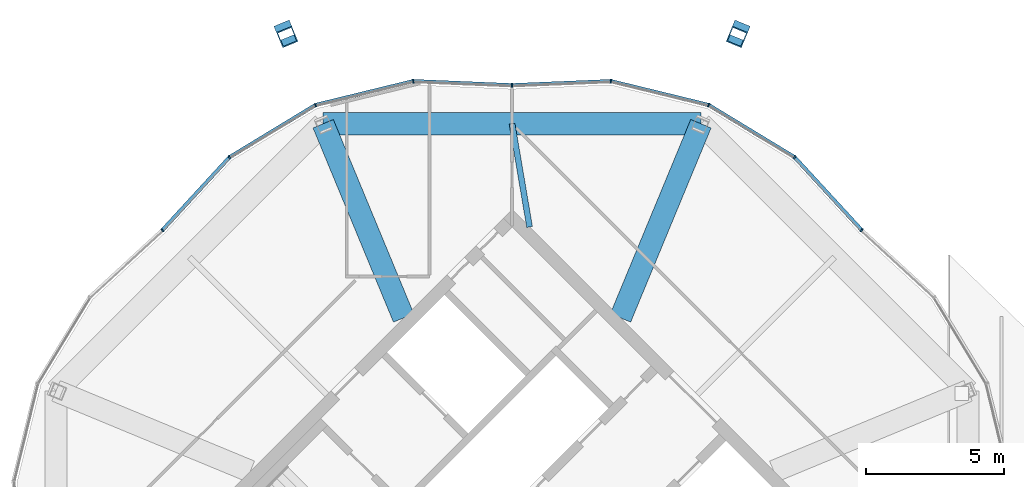
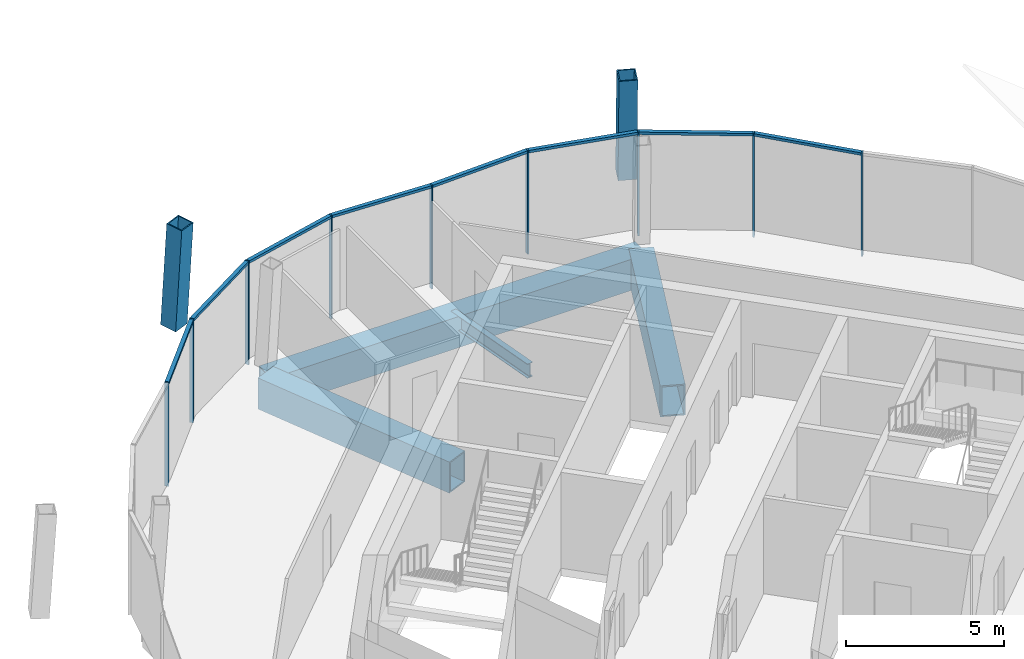
# One storey, part 13 of 22: 19 members, 4 beams, 3 elements without a shape of their own.
"""IFC4 building model written with IfcOpenShell, lengths in metres."""

from ifc_helpers import new_model, si_unit, direction, frame, origin, origin_2d, place, context, subcontext, project, spatial, rectangle, hollow_rectangle, i_section, extrude, material, material_profile, profile_set, type_object, element, aggregate, save


model = new_model("IFC4")

# Units and contexts
model_context = context("Model", 3, precision=1e-05, world=origin(), true_north=direction((0.0, 1.0)))
body_context = subcontext(model_context, "Body", "Model", "MODEL_VIEW")
ifc_project = project(units=[si_unit("LENGTHUNIT", "METRE"), si_unit("AREAUNIT", "SQUARE_METRE"), si_unit("VOLUMEUNIT", "CUBIC_METRE"), si_unit("PLANEANGLEUNIT", "RADIAN"), si_unit("MASSUNIT", "GRAM", prefix="KILO")], contexts=[model_context])

# Site, building, storey
site_placement = place(None, origin())
site = spatial("IfcSite", under=ifc_project, at=site_placement, CompositionType="ELEMENT")
building_placement = place(site_placement, origin())
building = spatial("IfcBuilding", under=site, at=building_placement, Name="Ogive Gate Towers", CompositionType="ELEMENT")
storey_placement = place(building_placement, frame((0.0, 0.0, 298.0)))
storey = spatial("IfcBuildingStorey", under=building, at=storey_placement, Name="L70", CompositionType="ELEMENT", Elevation=298.0)

# Curtain wall, member
ifc_material_1 = material(Name="Pale metal aluminium", Category="aluminium")
curtain_wall_type = type_object("IfcCurtainWallType", Name="Crown lean wall", PredefinedType="NOTDEFINED", material=ifc_material_1)
curtain_wall_1_placement = place(storey_placement, origin())
curtain_wall_1 = element("IfcCurtainWall", 1, at=curtain_wall_1_placement, inside=storey, type_object=curtain_wall_type, Name="CW5 T2 ECW01", PredefinedType="NOTDEFINED")
ifc_material_profile_1 = material_profile(ifc_material_1, rectangle(XDim=0.139892578125, YDim=0.050048828125, at=origin_2d()), Name="50 x 140 aluminium box")
ifc_profile_set_1 = profile_set([ifc_material_profile_1], Name="Pale metal aluminium")
member_type_1 = type_object("IfcMemberType", Name="Crown lean wall mullion 50 x 140", PredefinedType="MULLION", material=ifc_profile_set_1)
member_1_placement = place(storey_placement, frame((48.6845703125, 12.686279296875, -0.300048828125), z_axis=(0.0, 0.0, 1.0), x_axis=(-0.677184245918, -0.735813493407, 0.0)))
member_1 = element("IfcMember", 2, at=member_1_placement, type_object=member_type_1, Name="CW5 mullion", PredefinedType="MULLION", context=body_context, shape_type="SweptSolid", body=[
    extrude(rectangle(XDim=0.139892578125, YDim=0.050048828125, at=origin_2d()), origin(), (0.0, 0.0, 1.0), 4.0),
])
aggregate(curtain_wall_1, [member_1])

# Curtain wall, members
curtain_wall_2_placement = place(storey_placement, origin())
curtain_wall_2 = element("IfcCurtainWall", 3, at=curtain_wall_2_placement, inside=storey, type_object=curtain_wall_type, Name="CW5 T2 ECW02", PredefinedType="NOTDEFINED")
member_2_placement = place(storey_placement, frame((35.998779296875, 17.940185546875, -0.300048828125), z_axis=(0.0, 0.0, 1.0), x_axis=(0.041439700181, -0.99914100669, 0.0)))
member_2 = element("IfcMember", 4, at=member_2_placement, type_object=member_type_1, Name="CW5 mullion", PredefinedType="MULLION", context=body_context, shape_type="SweptSolid", body=[
    extrude(rectangle(XDim=0.139892578125, YDim=0.050048828125, at=origin_2d()), origin(), (0.0, 0.0, 1.0), 4.0),
])
member_3_placement = place(storey_placement, frame((39.585205078125, 18.088623046875, -0.300048828125), z_axis=(0.0, 0.0, 1.0), x_axis=(-0.098833462017, -0.995103987926, 0.0)))
member_3 = element("IfcMember", 5, at=member_3_placement, type_object=member_type_1, Name="CW5 mullion", PredefinedType="MULLION", context=body_context, shape_type="SweptSolid", body=[
    extrude(rectangle(XDim=0.139892578125, YDim=0.050048828125, at=origin_2d()), origin(), (0.0, 0.0, 1.0), 4.0),
])
member_4_placement = place(storey_placement, frame((43.1337890625, 17.22216796875, -0.300048828125), z_axis=(0.0, 0.0, 1.0), x_axis=(-0.382683432365, -0.923879532511, 0.0)))
member_4 = element("IfcMember", 6, at=member_4_placement, type_object=member_type_1, Name="CW5 mullion", PredefinedType="MULLION", context=body_context, shape_type="SweptSolid", body=[
    extrude(rectangle(XDim=0.139892578125, YDim=0.050048828125, at=origin_2d()), origin(), (0.0, 0.0, 1.0), 4.0),
])
member_5_placement = place(storey_placement, frame((46.255615234375, 15.325439453125, -0.300048828125), z_axis=(0.0, 0.0, 1.0), x_axis=(-0.633772467207, -0.77351952775, 0.0)))
member_5 = element("IfcMember", 7, at=member_5_placement, type_object=member_type_1, Name="CW5 mullion", PredefinedType="MULLION", context=body_context, shape_type="SweptSolid", body=[
    extrude(rectangle(XDim=0.139892578125, YDim=0.050048828125, at=origin_2d()), origin(), (0.0, 0.0, 1.0), 4.0),
])

curtain_wall_3_placement = place(storey_placement, origin())
curtain_wall_3 = element("IfcCurtainWall", 8, at=curtain_wall_3_placement, inside=storey, type_object=curtain_wall_type, Name="CW5 T2 ECW03", PredefinedType="NOTDEFINED")
member_6_placement = place(storey_placement, frame((23.313720703125, 12.6845703125, -0.300048828125), z_axis=(0.0, 0.0, 1.0), x_axis=(0.735813493407, -0.677184245918, 0.0)))
member_6 = element("IfcMember", 9, at=member_6_placement, type_object=member_type_1, Name="CW5 mullion", PredefinedType="MULLION", context=body_context, shape_type="SweptSolid", body=[
    extrude(rectangle(XDim=0.139892578125, YDim=0.050048828125, at=origin_2d()), origin(), (0.0, 0.0, 1.0), 4.0),
])
member_7_placement = place(storey_placement, frame((25.744384765625, 15.325439453125, -0.300048828125), z_axis=(0.0, 0.0, 1.0), x_axis=(0.633772467207, -0.77351952775, 0.0)))
member_7 = element("IfcMember", 10, at=member_7_placement, type_object=member_type_1, Name="CW5 mullion", PredefinedType="MULLION", context=body_context, shape_type="SweptSolid", body=[
    extrude(rectangle(XDim=0.139892578125, YDim=0.050048828125, at=origin_2d()), origin(), (0.0, 0.0, 1.0), 4.0),
])
member_8_placement = place(storey_placement, frame((28.8662109375, 17.22216796875, -0.300048828125), z_axis=(0.0, 0.0, 1.0), x_axis=(0.382683432365, -0.923879532511, 0.0)))
member_8 = element("IfcMember", 11, at=member_8_placement, type_object=member_type_1, Name="CW5 mullion", PredefinedType="MULLION", context=body_context, shape_type="SweptSolid", body=[
    extrude(rectangle(XDim=0.139892578125, YDim=0.050048828125, at=origin_2d()), origin(), (0.0, 0.0, 1.0), 4.0),
])
member_9_placement = place(storey_placement, frame((32.414794921875, 18.088623046875, -0.300048828125), z_axis=(0.0, 0.0, 1.0), x_axis=(0.098833462017, -0.995103987926, 0.0)))
member_9 = element("IfcMember", 12, at=member_9_placement, type_object=member_type_1, Name="CW5 mullion", PredefinedType="MULLION", context=body_context, shape_type="SweptSolid", body=[
    extrude(rectangle(XDim=0.139892578125, YDim=0.050048828125, at=origin_2d()), origin(), (0.0, 0.0, 1.0), 4.0),
])

# Member
ifc_material_profile_2 = material_profile(ifc_material_1, rectangle(XDim=0.139892578125, YDim=0.10009765625, at=origin_2d()), Name="100 x 140 aluminium box")
ifc_profile_set_2 = profile_set([ifc_material_profile_2], Name="Pale metal aluminium")
member_type_2 = type_object("IfcMemberType", Name="Crown lean wall transom 100 x 140", PredefinedType="USERDEFINED", material=ifc_profile_set_2)
member_10_placement = place(storey_placement, frame((36.023681640625, 17.941162109375, 3.64990234375), z_axis=(0.999141192632, 0.041435216725, 0.0), x_axis=(-0.041435216725, 0.999141192632, 0.0)))
member_10 = element("IfcMember", 13, at=member_10_placement, type_object=member_type_2, Name="CW5 transom", ObjectType="TRANSOM", PredefinedType="USERDEFINED", context=body_context, shape_type="SweptSolid", body=[
    extrude(rectangle(XDim=0.139892578125, YDim=0.10009765625, at=origin_2d()), origin(), (0.0, 0.0, 1.0), 3.53515625),
])

member_11_placement = place(storey_placement, frame((39.613525390625, 18.081787109375, 3.64990234375), z_axis=(0.971474168805, -0.237145397056, 0.0), x_axis=(0.237145397056, 0.971474168805, 0.0)))
member_11 = element("IfcMember", 14, at=member_11_placement, type_object=member_type_2, Name="CW5 transom", ObjectType="TRANSOM", PredefinedType="USERDEFINED", context=body_context, shape_type="SweptSolid", body=[
    extrude(rectangle(XDim=0.139892578125, YDim=0.10009765625, at=origin_2d()), origin(), (0.0, 0.0, 1.0), 3.593994140625),
])

member_12_placement = place(storey_placement, frame((43.1591796875, 17.207275390625, 3.64990234375), z_axis=(0.854590509475, -0.519302475553, 0.0), x_axis=(0.519302475553, 0.854590509475, 0.0)))
member_12 = element("IfcMember", 15, at=member_12_placement, type_object=member_type_2, Name="CW5 transom", ObjectType="TRANSOM", PredefinedType="USERDEFINED", context=body_context, shape_type="SweptSolid", body=[
    extrude(rectangle(XDim=0.139892578125, YDim=0.10009765625, at=origin_2d()), origin(), (0.0, 0.0, 1.0), 3.59423828125),
])

member_13_placement = place(storey_placement, frame((46.275390625, 15.30419921875, 3.64990234375), z_axis=(0.677183685751, -0.735814008941, 0.0), x_axis=(0.735814008941, 0.677183685751, 0.0)))
member_13 = element("IfcMember", 16, at=member_13_placement, type_object=member_type_2, Name="CW5 transom", ObjectType="TRANSOM", PredefinedType="USERDEFINED", context=body_context, shape_type="SweptSolid", body=[
    extrude(rectangle(XDim=0.139892578125, YDim=0.10009765625, at=origin_2d()), origin(), (0.0, 0.0, 1.0), 3.535400390625),
])

aggregate(curtain_wall_2, [member_2, member_3, member_10, member_4, member_11, member_5, member_12, member_13])

member_14_placement = place(storey_placement, frame((23.33056640625, 12.702880859375, 3.64990234375), z_axis=(0.677183685751, 0.735814008941, 0.0), x_axis=(-0.735814008941, 0.677183685751, 0.0)))
member_14 = element("IfcMember", 17, at=member_14_placement, type_object=member_type_2, Name="CW5 transom", ObjectType="TRANSOM", PredefinedType="USERDEFINED", context=body_context, shape_type="SweptSolid", body=[
    extrude(rectangle(XDim=0.139892578125, YDim=0.10009765625, at=origin_2d()), origin(), (0.0, 0.0, 1.0), 3.535400390625),
])

member_15_placement = place(storey_placement, frame((25.769287109375, 15.3408203125, 3.64990234375), z_axis=(0.854590509475, 0.519302475553, 0.0), x_axis=(-0.519302475553, 0.854590509475, 0.0)))
member_15 = element("IfcMember", 18, at=member_15_placement, type_object=member_type_2, Name="CW5 transom", ObjectType="TRANSOM", PredefinedType="USERDEFINED", context=body_context, shape_type="SweptSolid", body=[
    extrude(rectangle(XDim=0.139892578125, YDim=0.10009765625, at=origin_2d()), origin(), (0.0, 0.0, 1.0), 3.59423828125),
])

member_16_placement = place(storey_placement, frame((28.89501953125, 17.2294921875, 3.64990234375), z_axis=(0.971474168805, 0.237145397056, 0.0), x_axis=(-0.237145397056, 0.971474168805, 0.0)))
member_16 = element("IfcMember", 19, at=member_16_placement, type_object=member_type_2, Name="CW5 transom", ObjectType="TRANSOM", PredefinedType="USERDEFINED", context=body_context, shape_type="SweptSolid", body=[
    extrude(rectangle(XDim=0.139892578125, YDim=0.10009765625, at=origin_2d()), origin(), (0.0, 0.0, 1.0), 3.593994140625),
])

member_17_placement = place(storey_placement, frame((32.444091796875, 18.087646484375, 3.64990234375), z_axis=(0.999141192632, -0.041435216725, 0.0), x_axis=(0.041435216725, 0.999141192632, 0.0)))
member_17 = element("IfcMember", 20, at=member_17_placement, type_object=member_type_2, Name="CW5 transom", ObjectType="TRANSOM", PredefinedType="USERDEFINED", context=body_context, shape_type="SweptSolid", body=[
    extrude(rectangle(XDim=0.139892578125, YDim=0.10009765625, at=origin_2d()), origin(), (0.0, 0.0, 1.0), 3.53515625),
])

aggregate(curtain_wall_3, [member_6, member_7, member_14, member_8, member_15, member_9, member_16, member_17])

# Members
ifc_material_2 = material(Name="Steel SM460", Category="steel")
ifc_material_profile_3 = material_profile(ifc_material_2, hollow_rectangle(XDim=0.60009765625, YDim=0.60009765625, WallThickness=0.0400390625, at=origin_2d()), Name="BX 600x600x40")
ifc_profile_set_3 = profile_set([ifc_material_profile_3], Name="Steel SM460")
member_type_3 = type_object("IfcMemberType", Name="Crown rib BX 600x600x40", PredefinedType="MEMBER", material=ifc_profile_set_3)
for number, where, z_axis, x_axis, name in (
    (21, (44.250732421875, 19.919189453125, 0.0), (-0.023332863722, -0.056413137875, 0.99813482824), (0.924077607992, -0.382204885379, 0.0), "T2/L70/STR002"),
    (22, (27.749267578125, 19.919189453125, 0.0), (0.023332863722, -0.056413137875, 0.99813482824), (0.924077607992, 0.382204885379, 0.0), "T2/L70/STR003"),
):
    element("IfcMember", number, at=place(storey_placement, frame(where, z_axis=z_axis, x_axis=x_axis)), inside=storey, type_object=member_type_3, Name=name, PredefinedType="MEMBER", context=body_context, shape_type="SweptSolid", body=[
        extrude(hollow_rectangle(XDim=0.60009765625, YDim=0.60009765625, WallThickness=0.0400390625, at=origin_2d()), origin(), (0.0, 0.0, 1.0), 4.007568359375),
    ])

# Beams
ifc_material_profile_4 = material_profile(ifc_material_2, hollow_rectangle(XDim=0.800048828125, YDim=1.199951171875, WallThickness=0.050048828125, at=origin_2d()), Name="BX 1200x800x50")
ifc_profile_set_4 = profile_set([ifc_material_profile_4], Name="Steel SM460")
beam_type_1 = type_object("IfcBeamType", Name="Edge girder BX 1200x800x50", PredefinedType="BEAM", material=ifc_profile_set_4)
beam_1_placement = place(storey_placement, frame((42.853759765625, 16.546630859375, -0.89990234375), z_axis=(-1.0, 0.0, 0.0), x_axis=(0.0, -1.0, 0.0)))
element("IfcBeam", 23, at=beam_1_placement, inside=storey, type_object=beam_type_1, Name="T2/L70/SBM022", PredefinedType="BEAM", context=body_context, shape_type="SweptSolid", body=[
    extrude(hollow_rectangle(XDim=0.800048828125, YDim=1.199951171875, WallThickness=0.050048828125, at=origin_2d()), origin(), (0.0, 0.0, 1.0), 13.70751953125),
])
ifc_material_3 = material(Name="Steel SM355", Category="steel")
ifc_material_profile_5 = material_profile(ifc_material_3, i_section(OverallWidth=0.2099609375, OverallDepth=0.550048828125, WebThickness=0.010986328125, FlangeThickness=0.01708984375, FilletRadius=0.02392578125, at=origin_2d()), Name="IPE 550")
ifc_profile_set_5 = profile_set([ifc_material_profile_5], Name="Steel SM355")
beam_type_2 = type_object("IfcBeamType", Name="Radial floor beam IPE 550", PredefinedType="BEAM", material=ifc_profile_set_5)
beam_2_placement = place(storey_placement, frame((36.636474609375, 12.798583984375, -0.574951171875), z_axis=(-0.167418232796, 0.985885964667, 0.0), x_axis=(-0.985885964667, -0.167418232796, 0.0)))
element("IfcBeam", 24, at=beam_2_placement, inside=storey, type_object=beam_type_2, Name="T2/L70/SBM012", PredefinedType="BEAM", context=body_context, shape_type="SweptSolid", body=[
    extrude(i_section(OverallWidth=0.2099609375, OverallDepth=0.550048828125, WebThickness=0.010986328125, FlangeThickness=0.01708984375, FilletRadius=0.02392578125, at=origin_2d()), origin(), (0.0, 0.0, 1.0), 3.8017578125),
])
ifc_material_profile_6 = material_profile(ifc_material_2, hollow_rectangle(XDim=0.800048828125, YDim=1.199951171875, WallThickness=0.050048828125, at=origin_2d()), Name="BX 1200x800x50")
ifc_profile_set_6 = profile_set([ifc_material_profile_6], Name="Steel SM460")
beam_type_3 = type_object("IfcBeamType", Name="Transfer radial beam BX 1200x800x50", PredefinedType="BEAM", material=ifc_profile_set_6)
for number, where, z_axis, x_axis, name in (
    (25, (39.93505859375, 9.5, -0.89990234375), (0.382671245488, 0.923884580387, 0.0), (-0.923884580387, 0.382671245488, 0.0), "T2/L70/SBM011"),
    (26, (32.06494140625, 9.5, -0.89990234375), (-0.382671245488, 0.923884580387, 0.0), (-0.923884580387, -0.382671245488, 0.0), "T2/L70/SBM013"),
):
    element("IfcBeam", number, at=place(storey_placement, frame(where, z_axis=z_axis, x_axis=x_axis)), inside=storey, type_object=beam_type_3, Name=name, PredefinedType="BEAM", context=body_context, shape_type="SweptSolid", body=[
        extrude(hollow_rectangle(XDim=0.800048828125, YDim=1.199951171875, WallThickness=0.050048828125, at=origin_2d()), origin(), (0.0, 0.0, 1.0), 7.627197265625),
    ])

save(model, "model.ifc")
